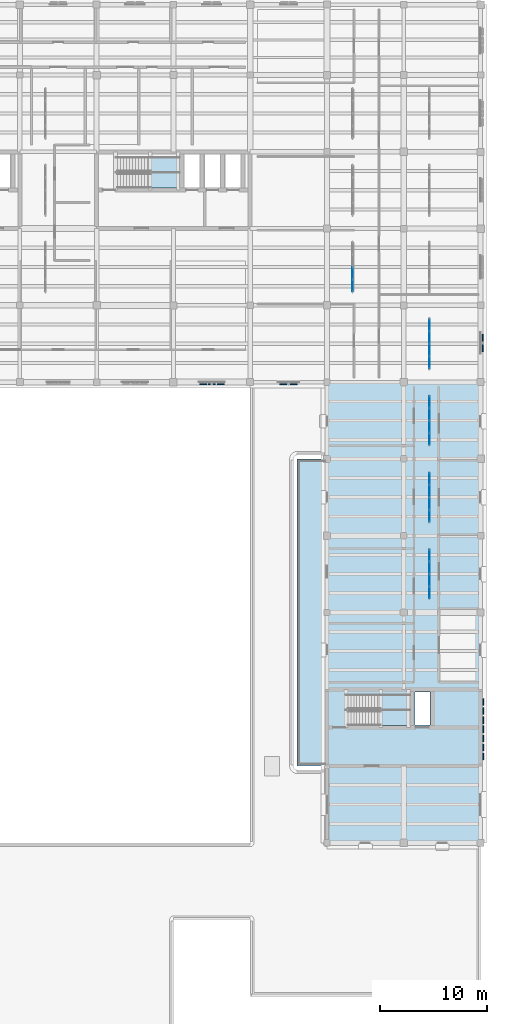
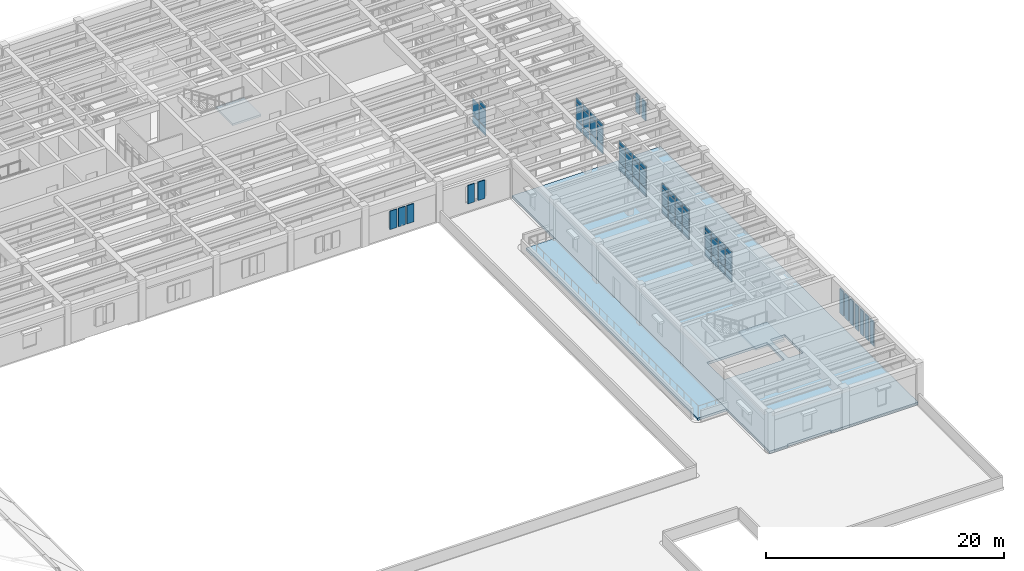
# One storey, part 16 of 40: 67 plates, 4 slabs, 7 elements without a shape of their own.
"""IFC4 building model written with IfcOpenShell, lengths in metres."""

import ifcopenshell
import ifcopenshell.guid

model = None  # the IFC model being written
_history = None  # IfcOwnerHistory: only IFC2X3 demands one
_inside = {}  # id of a spatial element -> (the spatial element, [elements in it])
_under = {}  # id of a project, library or spatial element -> (it, [spatial elements below it])
_declared = {}  # id of a project -> (the project, [libraries it declares])
_typed = {}  # id of a type object -> (the type object, [elements of that type])
_made_of = {}  # id of a material, layer set ... -> (it, [elements and type objects made of it])


def new_model(schema):
    """Start an empty IFC model of exactly this schema.

    Asked for "IFC4X3", IfcOpenShell would pick the latest addendum, in which some entities
    have other attributes; the version numbers below select the first issue.
    IFC2X3 requires an IfcOwnerHistory on every rooted entity: one is made here for all.
    """
    global model, _history
    if schema == "IFC4X3":
        model = ifcopenshell.file(schema_version=(4, 3, 0, 0))
    else:
        model = ifcopenshell.file(schema=schema)
    _inside.clear()
    _under.clear()
    _declared.clear()
    _typed.clear()
    _made_of.clear()
    _history = None
    if model.schema == "IFC2X3":
        org = make("IfcOrganization", Name="unknown")
        user = make(
            "IfcPersonAndOrganization",
            ThePerson=make("IfcPerson", FamilyName="unknown"),
            TheOrganization=org,
        )
        app = make(
            "IfcApplication",
            ApplicationDeveloper=org,
            Version="unknown",
            ApplicationFullName="unknown",
            ApplicationIdentifier="unknown",
        )
        _history = make(
            "IfcOwnerHistory",
            OwningUser=user,
            OwningApplication=app,
            ChangeAction="ADDED",
            CreationDate=0,
        )
    return model


def make(cls, **values):
    """One entity of the class cls with the attributes given. An attribute that is None is left unset."""
    return model.create_entity(
        cls, **{name: value for name, value in values.items() if value is not None}
    )


def rooted(cls, **values):
    """An entity with a GlobalId (a new one), such as an element, a storey or a relation."""
    return make(cls, GlobalId=ifcopenshell.guid.new(), OwnerHistory=_history, **values)


def si_unit(unit_type, name, prefix=None):
    """IfcSIUnit, for example si_unit("LENGTHUNIT", "METRE", prefix="MILLI")."""
    return make("IfcSIUnit", UnitType=unit_type, Prefix=prefix, Name=name)


def assignment(units):
    """IfcUnitAssignment: the units of a project."""
    return None if units is None else make("IfcUnitAssignment", Units=units)


def point(xyz):
    """IfcCartesianPoint."""
    return None if xyz is None else make("IfcCartesianPoint", Coordinates=xyz)


def direction(xyz):
    """IfcDirection."""
    return None if xyz is None else make("IfcDirection", DirectionRatios=xyz)


def frame(location, z_axis=None, x_axis=None):
    """IfcAxis2Placement3D, a coordinate frame: its origin and axes. An axis left out is left unset."""
    return make(
        "IfcAxis2Placement3D",
        Location=point(location),
        Axis=direction(z_axis),
        RefDirection=direction(x_axis),
    )


def frame_2d(location, x_axis=None):
    """IfcAxis2Placement2D, a coordinate frame in the plane: its origin and x axis."""
    return make(
        "IfcAxis2Placement2D", Location=point(location), RefDirection=direction(x_axis)
    )


def origin():
    """The frame at (0, 0, 0) with its axes left unset."""
    return frame((0.0, 0.0, 0.0))


def origin_2d():
    """The frame at (0, 0) in the plane with its x axis left unset."""
    return frame_2d((0.0, 0.0))


def place(relative_to, where):
    """IfcLocalPlacement: puts the frame where relative to a parent placement (None: the world)."""
    return make(
        "IfcLocalPlacement", PlacementRelTo=relative_to, RelativePlacement=where
    )


def context(
    kind, dimensions, precision=None, world=None, true_north=None, identifier=None
):
    """IfcGeometricRepresentationContext, for example the 3D "Model" context."""
    return make(
        "IfcGeometricRepresentationContext",
        ContextIdentifier=identifier,
        ContextType=kind,
        CoordinateSpaceDimension=dimensions,
        Precision=precision,
        WorldCoordinateSystem=world,
        TrueNorth=true_north,
    )


def subcontext(parent, identifier, kind, view, scale=None):
    """IfcGeometricRepresentationSubContext, for example "Body" below "Model"."""
    return make(
        "IfcGeometricRepresentationSubContext",
        ContextIdentifier=identifier,
        ContextType=kind,
        ParentContext=parent,
        TargetScale=scale,
        TargetView=view,
    )


def project(units=None, contexts=None):
    """IfcProject with its units and contexts."""
    return rooted(
        "IfcProject",
        Name="project",
        RepresentationContexts=contexts,
        UnitsInContext=assignment(units),
    )


def spatial(cls, under=None, at=None, **own):
    """A site, building, storey or space (cls), placed at a placement, below another one or the project."""
    s = rooted(cls, ObjectPlacement=at, **own)
    if under is not None:
        _under.setdefault(under.id(), (under, []))[1].append(s)
    return s


def polyline(points):
    """IfcPolyline through the points."""
    return make("IfcPolyline", Points=[point(p) for p in points])


def profile(cls, at=None, kind="AREA", **sizes):
    """A parametric profile (cls). Its sizes go by their IFC names, for example OverallWidth=200.0."""
    return make(cls, ProfileType=kind, Position=at, **sizes)


def rectangle(**sizes):
    """IfcRectangleProfileDef."""
    return profile("IfcRectangleProfileDef", **sizes)


def outline(outer, holes=None, kind="AREA"):
    """IfcArbitraryClosedProfileDef: a profile drawn as a closed curve; with holes, ...WithVoids."""
    if holes is None:
        return make("IfcArbitraryClosedProfileDef", ProfileType=kind, OuterCurve=outer)
    return make(
        "IfcArbitraryProfileDefWithVoids",
        ProfileType=kind,
        OuterCurve=outer,
        InnerCurves=holes,
    )


def extrude(swept, where, along, depth):
    """IfcExtrudedAreaSolid: the profile swept, set in the frame where, extruded along a direction by depth."""
    return make(
        "IfcExtrudedAreaSolid",
        SweptArea=swept,
        Position=where,
        ExtrudedDirection=direction(along),
        Depth=depth,
    )


def shape(context_of_items, identifier, shape_type, items):
    """IfcShapeRepresentation: the items that make up one representation, for example the "Body"."""
    return make(
        "IfcShapeRepresentation",
        ContextOfItems=context_of_items,
        RepresentationIdentifier=identifier,
        RepresentationType=shape_type,
        Items=items,
    )


def material(Name=None, Category=None):
    """IfcMaterial."""
    return make("IfcMaterial", Name=Name, Category=Category)


def layer(
    of_material, thickness, ventilated=None, Name=None, Category=None, Priority=None
):
    """IfcMaterialLayer: one layer of a wall or slab, of a material (None: an air gap)."""
    return make(
        "IfcMaterialLayer",
        Material=of_material,
        LayerThickness=thickness,
        IsVentilated=ventilated,
        Name=Name,
        Category=Category,
        Priority=Priority,
    )


def layer_set(layers, Name=None):
    """IfcMaterialLayerSet."""
    return make("IfcMaterialLayerSet", MaterialLayers=layers, LayerSetName=Name)


def made_of(thing, what):
    """Note that an element or type object is made of a material, layer set ...; save() writes the relation."""
    if what is not None:
        _made_of.setdefault(what.id(), (what, []))[1].append(thing)
    return thing


def type_object(cls, material=None, **own):
    """A type object (cls), such as IfcWallType, which elements share."""
    return made_of(rooted(cls, **own), material)


def element(
    cls,
    number,
    at=None,
    inside=None,
    cuts=None,
    type_object=None,
    material=None,
    context=None,
    identifier="Body",
    shape_type=None,
    held_by="IfcProductDefinitionShape",
    body=None,
    shapes=None,
    **own,
):
    """One element of the class cls, such as IfcWall. Its Tag is "e" and its number.

    at: its placement. inside: the storey or other place that contains it. cuts: it is an
    opening in that element (IfcRelVoidsElement). A single representation is given by context,
    identifier, shape_type and body (its items); several are given by shapes. held_by: the class
    of the entity that holds the representations. save() writes the other relations.
    """
    e = rooted(cls, Tag="e%d" % number, ObjectPlacement=at, **own)
    if body is not None:
        shapes = [shape(context, identifier, shape_type, body)]
    if shapes is not None:
        e.Representation = make(held_by, Representations=shapes)
    if inside is not None:
        _inside.setdefault(inside.id(), (inside, []))[1].append(e)
    if cuts is not None:
        rooted(
            "IfcRelVoidsElement", RelatingBuildingElement=cuts, RelatedOpeningElement=e
        )
    if type_object is not None:
        _typed.setdefault(type_object.id(), (type_object, []))[1].append(e)
    return made_of(e, material)


def aggregate(whole, parts):
    """IfcRelAggregates: a whole, such as a stair, and the parts it consists of."""
    return rooted("IfcRelAggregates", RelatingObject=whole, RelatedObjects=parts)


def save(model, path):
    """Write the relations noted so far, then the file.

    IfcRelAggregates (storeys below a building ...), IfcRelContainedInSpatialStructure (elements
    in a storey), IfcRelDefinesByType, IfcRelAssociatesMaterial and IfcRelDeclares: one each for
    every whole, place, type object, material and project.
    """
    for whole, parts in _under.values():
        aggregate(whole, parts)
    for where, things in _inside.values():
        rooted(
            "IfcRelContainedInSpatialStructure",
            RelatedElements=things,
            RelatingStructure=where,
        )
    for kind, things in _typed.values():
        rooted("IfcRelDefinesByType", RelatedObjects=things, RelatingType=kind)
    for what, things in _made_of.values():
        rooted("IfcRelAssociatesMaterial", RelatedObjects=things, RelatingMaterial=what)
    for by, libraries in _declared.values():
        rooted("IfcRelDeclares", RelatingContext=by, RelatedDefinitions=libraries)
    model.write(path)


model = new_model("IFC4")

# Units and contexts
model_context = context("Model", 3, precision=1e-05, world=origin(), true_north=direction((0.0, 1.0)))
body_context = subcontext(model_context, "Body", "Model", "MODEL_VIEW")
ifc_project = project(units=[si_unit("LENGTHUNIT", "METRE"), si_unit("AREAUNIT", "SQUARE_METRE"), si_unit("VOLUMEUNIT", "CUBIC_METRE"), si_unit("PLANEANGLEUNIT", "RADIAN"), si_unit("MASSUNIT", "GRAM", prefix="KILO")], contexts=[model_context])

# Site, building, storey
site_placement = place(None, origin())
site = spatial("IfcSite", under=ifc_project, at=site_placement, CompositionType="ELEMENT")
building_placement = place(site_placement, origin())
building = spatial("IfcBuilding", under=site, at=building_placement, Name="Mithqara Police Headquarters", CompositionType="ELEMENT")
storey_placement = place(building_placement, frame((0.0, 0.0, 13.800048828125)))
storey = spatial("IfcBuildingStorey", under=building, at=storey_placement, Name="L03", CompositionType="ELEMENT", Elevation=13.800048828125)

# Curtain wall, plates
ifc_material_1 = material(Name="Bronze anodised aluminium 6063-T6", Category="aluminium")
curtain_wall_type = type_object("IfcCurtainWallType", Name="CURTAIN WALL 4700X3220", PredefinedType="USERDEFINED", material=ifc_material_1)
curtain_wall_1_placement = place(storey_placement, origin())
curtain_wall_1 = element("IfcCurtainWall", 1, at=curtain_wall_1_placement, inside=storey, type_object=curtain_wall_type, Name="L03 Unitised Glazing CW-16 (CW-INT-L03-X21-Y12-0)", ObjectType="UNITISED GLAZING", PredefinedType="USERDEFINED")
ifc_material_2 = material(Name="Spectrally selective double low-e glass", Category="glass")
ifc_layer_1 = layer(ifc_material_2, 0.028076171875, Name="Spectrally selective double low-e glass")
ifc_layer_set_1 = layer_set([ifc_layer_1], Name="Spectrally selective double low-e glass")
plate_type_1 = type_object("IfcPlateType", Name="CWPANEL GLASS28", PredefinedType="CURTAIN_PANEL", material=ifc_layer_set_1)
plate_1_placement = place(storey_placement, frame((154.199951171875, 87.65625, 0.074951171875), z_axis=(0.0, 0.0, 1.0), x_axis=(0.0, 1.0, 0.0)))
plate_1 = element("IfcPlate", 2, at=plate_1_placement, type_object=plate_type_1, Name="CW-16 panel 1.1", PredefinedType="CURTAIN_PANEL", context=body_context, shape_type="SweptSolid", body=[
    extrude(rectangle(XDim=1.0625, YDim=0.028076171875, at=origin_2d()), origin(), (0.0, 0.0, 1.0), 0.78759765625),
])
plate_2_placement = place(storey_placement, frame((154.199951171875, 87.65625, 0.9375), z_axis=(0.0, 0.0, 1.0), x_axis=(0.0, 1.0, 0.0)))
plate_2 = element("IfcPlate", 3, at=plate_2_placement, type_object=plate_type_1, Name="CW-16 panel 1.2", PredefinedType="CURTAIN_PANEL", context=body_context, shape_type="SweptSolid", body=[
    extrude(rectangle(XDim=1.0625, YDim=0.028076171875, at=origin_2d()), origin(), (0.0, 0.0, 1.0), 1.695068359375),
])
plate_3_placement = place(storey_placement, frame((154.199951171875, 87.65625, 2.70751953125), z_axis=(0.0, 0.0, 1.0), x_axis=(0.0, 1.0, 0.0)))
plate_3 = element("IfcPlate", 4, at=plate_3_placement, type_object=plate_type_1, Name="CW-16 panel 1.3", PredefinedType="CURTAIN_PANEL", context=body_context, shape_type="SweptSolid", body=[
    extrude(rectangle(XDim=1.0625, YDim=0.028076171875, at=origin_2d()), origin(), (0.0, 0.0, 1.0), 0.4375),
])
plate_4_placement = place(storey_placement, frame((154.199951171875, 88.8125, 0.074951171875), z_axis=(0.0, 0.0, 1.0), x_axis=(0.0, 1.0, 0.0)))
plate_4 = element("IfcPlate", 5, at=plate_4_placement, type_object=plate_type_1, Name="CW-16 panel 2.1", PredefinedType="CURTAIN_PANEL", context=body_context, shape_type="SweptSolid", body=[
    extrude(rectangle(XDim=1.10009765625, YDim=0.028076171875, at=origin_2d()), origin(), (0.0, 0.0, 1.0), 0.78759765625),
])
plate_5_placement = place(storey_placement, frame((154.199951171875, 88.8125, 0.9375), z_axis=(0.0, 0.0, 1.0), x_axis=(0.0, 1.0, 0.0)))
plate_5 = element("IfcPlate", 6, at=plate_5_placement, type_object=plate_type_1, Name="CW-16 panel 2.2", PredefinedType="CURTAIN_PANEL", context=body_context, shape_type="SweptSolid", body=[
    extrude(rectangle(XDim=1.10009765625, YDim=0.028076171875, at=origin_2d()), origin(), (0.0, 0.0, 1.0), 1.695068359375),
])
aggregate(curtain_wall_1, [plate_1, plate_2, plate_3, plate_4, plate_5])

curtain_wall_2_placement = place(storey_placement, origin())
curtain_wall_2 = element("IfcCurtainWall", 7, at=curtain_wall_2_placement, inside=storey, type_object=curtain_wall_type, Name="L03 Unitised Glazing CW-16 (CW-INT-L03-X22-Y08-0)", ObjectType="UNITISED GLAZING", PredefinedType="USERDEFINED")
plate_6_placement = place(storey_placement, frame((161.39990234375, 58.856201171875, 0.074951171875), z_axis=(0.0, 0.0, 1.0), x_axis=(0.0, 1.0, 0.0)))
plate_6 = element("IfcPlate", 8, at=plate_6_placement, type_object=plate_type_1, Name="CW-16 panel 1.1", PredefinedType="CURTAIN_PANEL", context=body_context, shape_type="SweptSolid", body=[
    extrude(rectangle(XDim=1.0625, YDim=0.028076171875, at=origin_2d()), origin(), (0.0, 0.0, 1.0), 0.78759765625),
])
plate_7_placement = place(storey_placement, frame((161.39990234375, 58.856201171875, 0.9375), z_axis=(0.0, 0.0, 1.0), x_axis=(0.0, 1.0, 0.0)))
plate_7 = element("IfcPlate", 9, at=plate_7_placement, type_object=plate_type_1, Name="CW-16 panel 1.2", PredefinedType="CURTAIN_PANEL", context=body_context, shape_type="SweptSolid", body=[
    extrude(rectangle(XDim=1.0625, YDim=0.028076171875, at=origin_2d()), origin(), (0.0, 0.0, 1.0), 1.695068359375),
])
plate_8_placement = place(storey_placement, frame((161.39990234375, 58.856201171875, 2.70751953125), z_axis=(0.0, 0.0, 1.0), x_axis=(0.0, 1.0, 0.0)))
plate_8 = element("IfcPlate", 10, at=plate_8_placement, type_object=plate_type_1, Name="CW-16 panel 1.3", PredefinedType="CURTAIN_PANEL", context=body_context, shape_type="SweptSolid", body=[
    extrude(rectangle(XDim=1.0625, YDim=0.028076171875, at=origin_2d()), origin(), (0.0, 0.0, 1.0), 0.4375),
])
plate_9_placement = place(storey_placement, frame((161.39990234375, 60.012451171875, 0.074951171875), z_axis=(0.0, 0.0, 1.0), x_axis=(0.0, 1.0, 0.0)))
plate_9 = element("IfcPlate", 11, at=plate_9_placement, type_object=plate_type_1, Name="CW-16 panel 2.1", PredefinedType="CURTAIN_PANEL", context=body_context, shape_type="SweptSolid", body=[
    extrude(rectangle(XDim=1.10009765625, YDim=0.028076171875, at=origin_2d()), origin(), (0.0, 0.0, 1.0), 0.78759765625),
])
plate_10_placement = place(storey_placement, frame((161.39990234375, 60.012451171875, 0.9375), z_axis=(0.0, 0.0, 1.0), x_axis=(0.0, 1.0, 0.0)))
plate_10 = element("IfcPlate", 12, at=plate_10_placement, type_object=plate_type_1, Name="CW-16 panel 2.2", PredefinedType="CURTAIN_PANEL", context=body_context, shape_type="SweptSolid", body=[
    extrude(rectangle(XDim=1.10009765625, YDim=0.028076171875, at=origin_2d()), origin(), (0.0, 0.0, 1.0), 1.695068359375),
])
plate_11_placement = place(storey_placement, frame((161.39990234375, 60.012451171875, 2.70751953125), z_axis=(0.0, 0.0, 1.0), x_axis=(0.0, 1.0, 0.0)))
plate_11 = element("IfcPlate", 13, at=plate_11_placement, type_object=plate_type_1, Name="CW-16 panel 2.3", PredefinedType="CURTAIN_PANEL", context=body_context, shape_type="SweptSolid", body=[
    extrude(rectangle(XDim=1.10009765625, YDim=0.028076171875, at=origin_2d()), origin(), (0.0, 0.0, 1.0), 0.4375),
])
plate_12_placement = place(storey_placement, frame((161.39990234375, 61.1875, 0.074951171875), z_axis=(0.0, 0.0, 1.0), x_axis=(0.0, 1.0, 0.0)))
plate_12 = element("IfcPlate", 14, at=plate_12_placement, type_object=plate_type_1, Name="CW-16 panel 3.1", PredefinedType="CURTAIN_PANEL", context=body_context, shape_type="SweptSolid", body=[
    extrude(rectangle(XDim=1.10009765625, YDim=0.028076171875, at=origin_2d()), origin(), (0.0, 0.0, 1.0), 0.78759765625),
])
plate_13_placement = place(storey_placement, frame((161.39990234375, 61.1875, 0.9375), z_axis=(0.0, 0.0, 1.0), x_axis=(0.0, 1.0, 0.0)))
plate_13 = element("IfcPlate", 15, at=plate_13_placement, type_object=plate_type_1, Name="CW-16 panel 3.2", PredefinedType="CURTAIN_PANEL", context=body_context, shape_type="SweptSolid", body=[
    extrude(rectangle(XDim=1.10009765625, YDim=0.028076171875, at=origin_2d()), origin(), (0.0, 0.0, 1.0), 1.695068359375),
])
plate_14_placement = place(storey_placement, frame((161.39990234375, 61.1875, 2.70751953125), z_axis=(0.0, 0.0, 1.0), x_axis=(0.0, 1.0, 0.0)))
plate_14 = element("IfcPlate", 16, at=plate_14_placement, type_object=plate_type_1, Name="CW-16 panel 3.3", PredefinedType="CURTAIN_PANEL", context=body_context, shape_type="SweptSolid", body=[
    extrude(rectangle(XDim=1.10009765625, YDim=0.028076171875, at=origin_2d()), origin(), (0.0, 0.0, 1.0), 0.4375),
])
plate_15_placement = place(storey_placement, frame((161.39990234375, 62.34375, 0.074951171875), z_axis=(0.0, 0.0, 1.0), x_axis=(0.0, 1.0, 0.0)))
plate_15 = element("IfcPlate", 17, at=plate_15_placement, type_object=plate_type_1, Name="CW-16 panel 4.1", PredefinedType="CURTAIN_PANEL", context=body_context, shape_type="SweptSolid", body=[
    extrude(rectangle(XDim=1.0625, YDim=0.028076171875, at=origin_2d()), origin(), (0.0, 0.0, 1.0), 0.78759765625),
])
plate_16_placement = place(storey_placement, frame((161.39990234375, 62.34375, 0.9375), z_axis=(0.0, 0.0, 1.0), x_axis=(0.0, 1.0, 0.0)))
plate_16 = element("IfcPlate", 18, at=plate_16_placement, type_object=plate_type_1, Name="CW-16 panel 4.2", PredefinedType="CURTAIN_PANEL", context=body_context, shape_type="SweptSolid", body=[
    extrude(rectangle(XDim=1.0625, YDim=0.028076171875, at=origin_2d()), origin(), (0.0, 0.0, 1.0), 1.695068359375),
])
plate_17_placement = place(storey_placement, frame((161.39990234375, 62.34375, 2.70751953125), z_axis=(0.0, 0.0, 1.0), x_axis=(0.0, 1.0, 0.0)))
plate_17 = element("IfcPlate", 19, at=plate_17_placement, type_object=plate_type_1, Name="CW-16 panel 4.3", PredefinedType="CURTAIN_PANEL", context=body_context, shape_type="SweptSolid", body=[
    extrude(rectangle(XDim=1.0625, YDim=0.028076171875, at=origin_2d()), origin(), (0.0, 0.0, 1.0), 0.4375),
])
aggregate(curtain_wall_2, [plate_6, plate_7, plate_8, plate_9, plate_10, plate_11, plate_12, plate_13, plate_14, plate_15, plate_16, plate_17])

curtain_wall_3_placement = place(storey_placement, origin())
curtain_wall_3 = element("IfcCurtainWall", 20, at=curtain_wall_3_placement, inside=storey, type_object=curtain_wall_type, Name="L03 Unitised Glazing CW-16 (CW-INT-L03-X22-Y09-0)", ObjectType="UNITISED GLAZING", PredefinedType="USERDEFINED")
plate_18_placement = place(storey_placement, frame((161.39990234375, 66.05615234375, 0.074951171875), z_axis=(0.0, 0.0, 1.0), x_axis=(0.0, 1.0, 0.0)))
plate_18 = element("IfcPlate", 21, at=plate_18_placement, type_object=plate_type_1, Name="CW-16 panel 1.1", PredefinedType="CURTAIN_PANEL", context=body_context, shape_type="SweptSolid", body=[
    extrude(rectangle(XDim=1.0625, YDim=0.028076171875, at=origin_2d()), origin(), (0.0, 0.0, 1.0), 0.78759765625),
])
plate_19_placement = place(storey_placement, frame((161.39990234375, 66.05615234375, 0.9375), z_axis=(0.0, 0.0, 1.0), x_axis=(0.0, 1.0, 0.0)))
plate_19 = element("IfcPlate", 22, at=plate_19_placement, type_object=plate_type_1, Name="CW-16 panel 1.2", PredefinedType="CURTAIN_PANEL", context=body_context, shape_type="SweptSolid", body=[
    extrude(rectangle(XDim=1.0625, YDim=0.028076171875, at=origin_2d()), origin(), (0.0, 0.0, 1.0), 1.695068359375),
])
plate_20_placement = place(storey_placement, frame((161.39990234375, 66.05615234375, 2.70751953125), z_axis=(0.0, 0.0, 1.0), x_axis=(0.0, 1.0, 0.0)))
plate_20 = element("IfcPlate", 23, at=plate_20_placement, type_object=plate_type_1, Name="CW-16 panel 1.3", PredefinedType="CURTAIN_PANEL", context=body_context, shape_type="SweptSolid", body=[
    extrude(rectangle(XDim=1.0625, YDim=0.028076171875, at=origin_2d()), origin(), (0.0, 0.0, 1.0), 0.4375),
])
plate_21_placement = place(storey_placement, frame((161.39990234375, 67.21240234375, 0.074951171875), z_axis=(0.0, 0.0, 1.0), x_axis=(0.0, 1.0, 0.0)))
plate_21 = element("IfcPlate", 24, at=plate_21_placement, type_object=plate_type_1, Name="CW-16 panel 2.1", PredefinedType="CURTAIN_PANEL", context=body_context, shape_type="SweptSolid", body=[
    extrude(rectangle(XDim=1.10009765625, YDim=0.028076171875, at=origin_2d()), origin(), (0.0, 0.0, 1.0), 0.78759765625),
])
plate_22_placement = place(storey_placement, frame((161.39990234375, 67.21240234375, 0.9375), z_axis=(0.0, 0.0, 1.0), x_axis=(0.0, 1.0, 0.0)))
plate_22 = element("IfcPlate", 25, at=plate_22_placement, type_object=plate_type_1, Name="CW-16 panel 2.2", PredefinedType="CURTAIN_PANEL", context=body_context, shape_type="SweptSolid", body=[
    extrude(rectangle(XDim=1.10009765625, YDim=0.028076171875, at=origin_2d()), origin(), (0.0, 0.0, 1.0), 1.695068359375),
])
plate_23_placement = place(storey_placement, frame((161.39990234375, 67.21240234375, 2.70751953125), z_axis=(0.0, 0.0, 1.0), x_axis=(0.0, 1.0, 0.0)))
plate_23 = element("IfcPlate", 26, at=plate_23_placement, type_object=plate_type_1, Name="CW-16 panel 2.3", PredefinedType="CURTAIN_PANEL", context=body_context, shape_type="SweptSolid", body=[
    extrude(rectangle(XDim=1.10009765625, YDim=0.028076171875, at=origin_2d()), origin(), (0.0, 0.0, 1.0), 0.4375),
])
plate_24_placement = place(storey_placement, frame((161.39990234375, 68.387451171875, 0.074951171875), z_axis=(0.0, 0.0, 1.0), x_axis=(0.0, 1.0, 0.0)))
plate_24 = element("IfcPlate", 27, at=plate_24_placement, type_object=plate_type_1, Name="CW-16 panel 3.1", PredefinedType="CURTAIN_PANEL", context=body_context, shape_type="SweptSolid", body=[
    extrude(rectangle(XDim=1.10009765625, YDim=0.028076171875, at=origin_2d()), origin(), (0.0, 0.0, 1.0), 0.78759765625),
])
plate_25_placement = place(storey_placement, frame((161.39990234375, 68.387451171875, 0.9375), z_axis=(0.0, 0.0, 1.0), x_axis=(0.0, 1.0, 0.0)))
plate_25 = element("IfcPlate", 28, at=plate_25_placement, type_object=plate_type_1, Name="CW-16 panel 3.2", PredefinedType="CURTAIN_PANEL", context=body_context, shape_type="SweptSolid", body=[
    extrude(rectangle(XDim=1.10009765625, YDim=0.028076171875, at=origin_2d()), origin(), (0.0, 0.0, 1.0), 1.695068359375),
])
plate_26_placement = place(storey_placement, frame((161.39990234375, 68.387451171875, 2.70751953125), z_axis=(0.0, 0.0, 1.0), x_axis=(0.0, 1.0, 0.0)))
plate_26 = element("IfcPlate", 29, at=plate_26_placement, type_object=plate_type_1, Name="CW-16 panel 3.3", PredefinedType="CURTAIN_PANEL", context=body_context, shape_type="SweptSolid", body=[
    extrude(rectangle(XDim=1.10009765625, YDim=0.028076171875, at=origin_2d()), origin(), (0.0, 0.0, 1.0), 0.4375),
])
plate_27_placement = place(storey_placement, frame((161.39990234375, 69.543701171875, 0.074951171875), z_axis=(0.0, 0.0, 1.0), x_axis=(0.0, 1.0, 0.0)))
plate_27 = element("IfcPlate", 30, at=plate_27_placement, type_object=plate_type_1, Name="CW-16 panel 4.1", PredefinedType="CURTAIN_PANEL", context=body_context, shape_type="SweptSolid", body=[
    extrude(rectangle(XDim=1.0625, YDim=0.028076171875, at=origin_2d()), origin(), (0.0, 0.0, 1.0), 0.78759765625),
])
plate_28_placement = place(storey_placement, frame((161.39990234375, 69.543701171875, 0.9375), z_axis=(0.0, 0.0, 1.0), x_axis=(0.0, 1.0, 0.0)))
plate_28 = element("IfcPlate", 31, at=plate_28_placement, type_object=plate_type_1, Name="CW-16 panel 4.2", PredefinedType="CURTAIN_PANEL", context=body_context, shape_type="SweptSolid", body=[
    extrude(rectangle(XDim=1.0625, YDim=0.028076171875, at=origin_2d()), origin(), (0.0, 0.0, 1.0), 1.695068359375),
])
plate_29_placement = place(storey_placement, frame((161.39990234375, 69.543701171875, 2.70751953125), z_axis=(0.0, 0.0, 1.0), x_axis=(0.0, 1.0, 0.0)))
plate_29 = element("IfcPlate", 32, at=plate_29_placement, type_object=plate_type_1, Name="CW-16 panel 4.3", PredefinedType="CURTAIN_PANEL", context=body_context, shape_type="SweptSolid", body=[
    extrude(rectangle(XDim=1.0625, YDim=0.028076171875, at=origin_2d()), origin(), (0.0, 0.0, 1.0), 0.4375),
])
aggregate(curtain_wall_3, [plate_18, plate_19, plate_20, plate_21, plate_22, plate_23, plate_24, plate_25, plate_26, plate_27, plate_28, plate_29])

curtain_wall_4_placement = place(storey_placement, origin())
curtain_wall_4 = element("IfcCurtainWall", 33, at=curtain_wall_4_placement, inside=storey, type_object=curtain_wall_type, Name="L03 Unitised Glazing CW-16 (CW-INT-L03-X22-Y10-0)", ObjectType="UNITISED GLAZING", PredefinedType="USERDEFINED")
plate_30_placement = place(storey_placement, frame((161.39990234375, 73.25634765625, 0.074951171875), z_axis=(0.0, 0.0, 1.0), x_axis=(0.0, 1.0, 0.0)))
plate_30 = element("IfcPlate", 34, at=plate_30_placement, type_object=plate_type_1, Name="CW-16 panel 1.1", PredefinedType="CURTAIN_PANEL", context=body_context, shape_type="SweptSolid", body=[
    extrude(rectangle(XDim=1.0625, YDim=0.028076171875, at=origin_2d()), origin(), (0.0, 0.0, 1.0), 0.78759765625),
])
plate_31_placement = place(storey_placement, frame((161.39990234375, 73.25634765625, 0.9375), z_axis=(0.0, 0.0, 1.0), x_axis=(0.0, 1.0, 0.0)))
plate_31 = element("IfcPlate", 35, at=plate_31_placement, type_object=plate_type_1, Name="CW-16 panel 1.2", PredefinedType="CURTAIN_PANEL", context=body_context, shape_type="SweptSolid", body=[
    extrude(rectangle(XDim=1.0625, YDim=0.028076171875, at=origin_2d()), origin(), (0.0, 0.0, 1.0), 1.695068359375),
])
plate_32_placement = place(storey_placement, frame((161.39990234375, 73.25634765625, 2.70751953125), z_axis=(0.0, 0.0, 1.0), x_axis=(0.0, 1.0, 0.0)))
plate_32 = element("IfcPlate", 36, at=plate_32_placement, type_object=plate_type_1, Name="CW-16 panel 1.3", PredefinedType="CURTAIN_PANEL", context=body_context, shape_type="SweptSolid", body=[
    extrude(rectangle(XDim=1.0625, YDim=0.028076171875, at=origin_2d()), origin(), (0.0, 0.0, 1.0), 0.4375),
])
plate_33_placement = place(storey_placement, frame((161.39990234375, 74.41259765625, 0.074951171875), z_axis=(0.0, 0.0, 1.0), x_axis=(0.0, 1.0, 0.0)))
plate_33 = element("IfcPlate", 37, at=plate_33_placement, type_object=plate_type_1, Name="CW-16 panel 2.1", PredefinedType="CURTAIN_PANEL", context=body_context, shape_type="SweptSolid", body=[
    extrude(rectangle(XDim=1.10009765625, YDim=0.028076171875, at=origin_2d()), origin(), (0.0, 0.0, 1.0), 0.78759765625),
])
plate_34_placement = place(storey_placement, frame((161.39990234375, 74.41259765625, 0.9375), z_axis=(0.0, 0.0, 1.0), x_axis=(0.0, 1.0, 0.0)))
plate_34 = element("IfcPlate", 38, at=plate_34_placement, type_object=plate_type_1, Name="CW-16 panel 2.2", PredefinedType="CURTAIN_PANEL", context=body_context, shape_type="SweptSolid", body=[
    extrude(rectangle(XDim=1.10009765625, YDim=0.028076171875, at=origin_2d()), origin(), (0.0, 0.0, 1.0), 1.695068359375),
])
plate_35_placement = place(storey_placement, frame((161.39990234375, 74.41259765625, 2.70751953125), z_axis=(0.0, 0.0, 1.0), x_axis=(0.0, 1.0, 0.0)))
plate_35 = element("IfcPlate", 39, at=plate_35_placement, type_object=plate_type_1, Name="CW-16 panel 2.3", PredefinedType="CURTAIN_PANEL", context=body_context, shape_type="SweptSolid", body=[
    extrude(rectangle(XDim=1.10009765625, YDim=0.028076171875, at=origin_2d()), origin(), (0.0, 0.0, 1.0), 0.4375),
])
plate_36_placement = place(storey_placement, frame((161.39990234375, 75.58740234375, 0.074951171875), z_axis=(0.0, 0.0, 1.0), x_axis=(0.0, 1.0, 0.0)))
plate_36 = element("IfcPlate", 40, at=plate_36_placement, type_object=plate_type_1, Name="CW-16 panel 3.1", PredefinedType="CURTAIN_PANEL", context=body_context, shape_type="SweptSolid", body=[
    extrude(rectangle(XDim=1.10009765625, YDim=0.028076171875, at=origin_2d()), origin(), (0.0, 0.0, 1.0), 0.78759765625),
])
plate_37_placement = place(storey_placement, frame((161.39990234375, 75.58740234375, 0.9375), z_axis=(0.0, 0.0, 1.0), x_axis=(0.0, 1.0, 0.0)))
plate_37 = element("IfcPlate", 41, at=plate_37_placement, type_object=plate_type_1, Name="CW-16 panel 3.2", PredefinedType="CURTAIN_PANEL", context=body_context, shape_type="SweptSolid", body=[
    extrude(rectangle(XDim=1.10009765625, YDim=0.028076171875, at=origin_2d()), origin(), (0.0, 0.0, 1.0), 1.695068359375),
])
plate_38_placement = place(storey_placement, frame((161.39990234375, 75.58740234375, 2.70751953125), z_axis=(0.0, 0.0, 1.0), x_axis=(0.0, 1.0, 0.0)))
plate_38 = element("IfcPlate", 42, at=plate_38_placement, type_object=plate_type_1, Name="CW-16 panel 3.3", PredefinedType="CURTAIN_PANEL", context=body_context, shape_type="SweptSolid", body=[
    extrude(rectangle(XDim=1.10009765625, YDim=0.028076171875, at=origin_2d()), origin(), (0.0, 0.0, 1.0), 0.4375),
])
plate_39_placement = place(storey_placement, frame((161.39990234375, 76.74365234375, 0.074951171875), z_axis=(0.0, 0.0, 1.0), x_axis=(0.0, 1.0, 0.0)))
plate_39 = element("IfcPlate", 43, at=plate_39_placement, type_object=plate_type_1, Name="CW-16 panel 4.1", PredefinedType="CURTAIN_PANEL", context=body_context, shape_type="SweptSolid", body=[
    extrude(rectangle(XDim=1.0625, YDim=0.028076171875, at=origin_2d()), origin(), (0.0, 0.0, 1.0), 0.78759765625),
])
plate_40_placement = place(storey_placement, frame((161.39990234375, 76.74365234375, 0.9375), z_axis=(0.0, 0.0, 1.0), x_axis=(0.0, 1.0, 0.0)))
plate_40 = element("IfcPlate", 44, at=plate_40_placement, type_object=plate_type_1, Name="CW-16 panel 4.2", PredefinedType="CURTAIN_PANEL", context=body_context, shape_type="SweptSolid", body=[
    extrude(rectangle(XDim=1.0625, YDim=0.028076171875, at=origin_2d()), origin(), (0.0, 0.0, 1.0), 1.695068359375),
])
plate_41_placement = place(storey_placement, frame((161.39990234375, 76.74365234375, 2.70751953125), z_axis=(0.0, 0.0, 1.0), x_axis=(0.0, 1.0, 0.0)))
plate_41 = element("IfcPlate", 45, at=plate_41_placement, type_object=plate_type_1, Name="CW-16 panel 4.3", PredefinedType="CURTAIN_PANEL", context=body_context, shape_type="SweptSolid", body=[
    extrude(rectangle(XDim=1.0625, YDim=0.028076171875, at=origin_2d()), origin(), (0.0, 0.0, 1.0), 0.4375),
])
aggregate(curtain_wall_4, [plate_30, plate_31, plate_32, plate_33, plate_34, plate_35, plate_36, plate_37, plate_38, plate_39, plate_40, plate_41])

curtain_wall_5_placement = place(storey_placement, origin())
curtain_wall_5 = element("IfcCurtainWall", 46, at=curtain_wall_5_placement, inside=storey, type_object=curtain_wall_type, Name="L03 Unitised Glazing CW-16 (CW-INT-L03-X22-Y11-0)", ObjectType="UNITISED GLAZING", PredefinedType="USERDEFINED")
plate_42_placement = place(storey_placement, frame((161.39990234375, 80.456298828125, 0.074951171875), z_axis=(0.0, 0.0, 1.0), x_axis=(0.0, 1.0, 0.0)))
plate_42 = element("IfcPlate", 47, at=plate_42_placement, type_object=plate_type_1, Name="CW-16 panel 1.1", PredefinedType="CURTAIN_PANEL", context=body_context, shape_type="SweptSolid", body=[
    extrude(rectangle(XDim=1.0625, YDim=0.028076171875, at=origin_2d()), origin(), (0.0, 0.0, 1.0), 0.78759765625),
])
plate_43_placement = place(storey_placement, frame((161.39990234375, 80.456298828125, 0.9375), z_axis=(0.0, 0.0, 1.0), x_axis=(0.0, 1.0, 0.0)))
plate_43 = element("IfcPlate", 48, at=plate_43_placement, type_object=plate_type_1, Name="CW-16 panel 1.2", PredefinedType="CURTAIN_PANEL", context=body_context, shape_type="SweptSolid", body=[
    extrude(rectangle(XDim=1.0625, YDim=0.028076171875, at=origin_2d()), origin(), (0.0, 0.0, 1.0), 1.695068359375),
])
plate_44_placement = place(storey_placement, frame((161.39990234375, 80.456298828125, 2.70751953125), z_axis=(0.0, 0.0, 1.0), x_axis=(0.0, 1.0, 0.0)))
plate_44 = element("IfcPlate", 49, at=plate_44_placement, type_object=plate_type_1, Name="CW-16 panel 1.3", PredefinedType="CURTAIN_PANEL", context=body_context, shape_type="SweptSolid", body=[
    extrude(rectangle(XDim=1.0625, YDim=0.028076171875, at=origin_2d()), origin(), (0.0, 0.0, 1.0), 0.4375),
])
plate_45_placement = place(storey_placement, frame((161.39990234375, 81.612548828125, 0.074951171875), z_axis=(0.0, 0.0, 1.0), x_axis=(0.0, 1.0, 0.0)))
plate_45 = element("IfcPlate", 50, at=plate_45_placement, type_object=plate_type_1, Name="CW-16 panel 2.1", PredefinedType="CURTAIN_PANEL", context=body_context, shape_type="SweptSolid", body=[
    extrude(rectangle(XDim=1.10009765625, YDim=0.028076171875, at=origin_2d()), origin(), (0.0, 0.0, 1.0), 0.78759765625),
])
plate_46_placement = place(storey_placement, frame((161.39990234375, 81.612548828125, 0.9375), z_axis=(0.0, 0.0, 1.0), x_axis=(0.0, 1.0, 0.0)))
plate_46 = element("IfcPlate", 51, at=plate_46_placement, type_object=plate_type_1, Name="CW-16 panel 2.2", PredefinedType="CURTAIN_PANEL", context=body_context, shape_type="SweptSolid", body=[
    extrude(rectangle(XDim=1.10009765625, YDim=0.028076171875, at=origin_2d()), origin(), (0.0, 0.0, 1.0), 1.695068359375),
])
plate_47_placement = place(storey_placement, frame((161.39990234375, 81.612548828125, 2.70751953125), z_axis=(0.0, 0.0, 1.0), x_axis=(0.0, 1.0, 0.0)))
plate_47 = element("IfcPlate", 52, at=plate_47_placement, type_object=plate_type_1, Name="CW-16 panel 2.3", PredefinedType="CURTAIN_PANEL", context=body_context, shape_type="SweptSolid", body=[
    extrude(rectangle(XDim=1.10009765625, YDim=0.028076171875, at=origin_2d()), origin(), (0.0, 0.0, 1.0), 0.4375),
])
plate_48_placement = place(storey_placement, frame((161.39990234375, 82.78759765625, 0.074951171875), z_axis=(0.0, 0.0, 1.0), x_axis=(0.0, 1.0, 0.0)))
plate_48 = element("IfcPlate", 53, at=plate_48_placement, type_object=plate_type_1, Name="CW-16 panel 3.1", PredefinedType="CURTAIN_PANEL", context=body_context, shape_type="SweptSolid", body=[
    extrude(rectangle(XDim=1.10009765625, YDim=0.028076171875, at=origin_2d()), origin(), (0.0, 0.0, 1.0), 0.78759765625),
])
plate_49_placement = place(storey_placement, frame((161.39990234375, 82.78759765625, 0.9375), z_axis=(0.0, 0.0, 1.0), x_axis=(0.0, 1.0, 0.0)))
plate_49 = element("IfcPlate", 54, at=plate_49_placement, type_object=plate_type_1, Name="CW-16 panel 3.2", PredefinedType="CURTAIN_PANEL", context=body_context, shape_type="SweptSolid", body=[
    extrude(rectangle(XDim=1.10009765625, YDim=0.028076171875, at=origin_2d()), origin(), (0.0, 0.0, 1.0), 1.695068359375),
])
plate_50_placement = place(storey_placement, frame((161.39990234375, 82.78759765625, 2.70751953125), z_axis=(0.0, 0.0, 1.0), x_axis=(0.0, 1.0, 0.0)))
plate_50 = element("IfcPlate", 55, at=plate_50_placement, type_object=plate_type_1, Name="CW-16 panel 3.3", PredefinedType="CURTAIN_PANEL", context=body_context, shape_type="SweptSolid", body=[
    extrude(rectangle(XDim=1.10009765625, YDim=0.028076171875, at=origin_2d()), origin(), (0.0, 0.0, 1.0), 0.4375),
])
plate_51_placement = place(storey_placement, frame((161.39990234375, 83.94384765625, 0.074951171875), z_axis=(0.0, 0.0, 1.0), x_axis=(0.0, 1.0, 0.0)))
plate_51 = element("IfcPlate", 56, at=plate_51_placement, type_object=plate_type_1, Name="CW-16 panel 4.1", PredefinedType="CURTAIN_PANEL", context=body_context, shape_type="SweptSolid", body=[
    extrude(rectangle(XDim=1.0625, YDim=0.028076171875, at=origin_2d()), origin(), (0.0, 0.0, 1.0), 0.78759765625),
])
plate_52_placement = place(storey_placement, frame((161.39990234375, 83.94384765625, 0.9375), z_axis=(0.0, 0.0, 1.0), x_axis=(0.0, 1.0, 0.0)))
plate_52 = element("IfcPlate", 57, at=plate_52_placement, type_object=plate_type_1, Name="CW-16 panel 4.2", PredefinedType="CURTAIN_PANEL", context=body_context, shape_type="SweptSolid", body=[
    extrude(rectangle(XDim=1.0625, YDim=0.028076171875, at=origin_2d()), origin(), (0.0, 0.0, 1.0), 1.695068359375),
])
plate_53_placement = place(storey_placement, frame((161.39990234375, 83.94384765625, 2.70751953125), z_axis=(0.0, 0.0, 1.0), x_axis=(0.0, 1.0, 0.0)))
plate_53 = element("IfcPlate", 58, at=plate_53_placement, type_object=plate_type_1, Name="CW-16 panel 4.3", PredefinedType="CURTAIN_PANEL", context=body_context, shape_type="SweptSolid", body=[
    extrude(rectangle(XDim=1.0625, YDim=0.028076171875, at=origin_2d()), origin(), (0.0, 0.0, 1.0), 0.4375),
])
aggregate(curtain_wall_5, [plate_42, plate_43, plate_44, plate_45, plate_46, plate_47, plate_48, plate_49, plate_50, plate_51, plate_52, plate_53])

# Slab
ifc_material_3 = material(Name="Concrete C40/50", Category="concrete")
ifc_layer_2 = layer(ifc_material_3, 0.260009765625, Name="Concrete C40/50")
ifc_layer_set_2 = layer_set([ifc_layer_2], Name="Concrete C40/50")
slab_type_1 = type_object("IfcSlabType", Name="FLOOR SLAB 260", PredefinedType="FLOOR", material=ifc_layer_set_2)
slab_1_placement = place(storey_placement, frame((0.0, 0.0, -0.260009765625)))
element("IfcSlab", 59, at=slab_1_placement, inside=storey, type_object=slab_type_1, Name="L03 Structural Slab L03-V6E", PredefinedType="FLOOR", context=body_context, shape_type="SweptSolid", body=[
    extrude(outline(polyline([(157.800048828125, 35.39990234375), (157.800048828125, 35.5400390625), (153.60009765625, 35.5400390625), (153.60009765625, 35.39990234375), (151.800048828125, 35.39990234375), (151.800048828125, 78.60009765625), (166.199951171875, 78.60009765625), (166.199951171875, 35.39990234375), (157.800048828125, 35.39990234375)]), holes=[polyline([(153.75, 46.39990234375), (159.60009765625, 46.39990234375), (159.60009765625, 49.300048828125), (153.75, 49.300048828125), (153.75, 46.39990234375)]), polyline([(161.449951171875, 46.469970703125), (161.449951171875, 49.550048828125), (160.030029296875, 49.550048828125), (160.030029296875, 46.469970703125), (161.449951171875, 46.469970703125)])]), origin(), (0.0, 0.0, 1.0), 0.260009765625),
])

# Stair, slab
stair_type_1 = type_object("IfcStairType", Name="STAIR ST 02-R24", PredefinedType="HALF_TURN_STAIR", material=ifc_material_3)
stair_1_placement = place(storey_placement, origin())
stair_1 = element("IfcStair", 60, at=stair_1_placement, inside=storey, type_object=stair_type_1, Name="L03 Core C2 Command East Exit Stair", PredefinedType="HALF_TURN_STAIR")
ifc_layer_3 = layer(ifc_material_3, 0.199951171875, Name="Concrete C40/50")
ifc_layer_set_3 = layer_set([ifc_layer_3], Name="Concrete C40/50")
slab_type_2 = type_object("IfcSlabType", Name="STAIR LANDING 200", PredefinedType="LANDING", material=ifc_layer_set_3)
slab_2_placement = place(storey_placement, frame((0.0, 0.0, 1.89990234375)))
slab_2 = element("IfcSlab", 61, at=slab_2_placement, type_object=slab_type_2, Name="ST-02 landing 1", PredefinedType="LANDING", context=body_context, shape_type="SweptSolid", body=[
    extrude(outline(polyline([(135.22998046875, 96.800048828125), (138.0, 96.800048828125), (138.0, 99.699951171875), (135.22998046875, 99.699951171875), (135.22998046875, 96.800048828125)])), origin(), (0.0, 0.0, 1.0), 0.199951171875),
])
aggregate(stair_1, [slab_2])

stair_type_2 = type_object("IfcStairType", Name="STAIR ST 04-R24", PredefinedType="HALF_TURN_STAIR", material=ifc_material_3)
stair_2_placement = place(storey_placement, origin())
stair_2 = element("IfcStair", 62, at=stair_2_placement, inside=storey, type_object=stair_type_2, Name="L03 Core C4 Forensics East Exit Stair", PredefinedType="HALF_TURN_STAIR")
slab_3_placement = place(storey_placement, frame((0.0, 0.0, 1.89990234375)))
slab_3 = element("IfcSlab", 63, at=slab_3_placement, type_object=slab_type_2, Name="ST-04 landing 1", PredefinedType="LANDING", context=body_context, shape_type="SweptSolid", body=[
    extrude(outline(polyline([(156.830078125, 46.39990234375), (159.60009765625, 46.39990234375), (159.60009765625, 49.300048828125), (156.830078125, 49.300048828125), (156.830078125, 46.39990234375)])), origin(), (0.0, 0.0, 1.0), 0.199951171875),
])
aggregate(stair_2, [slab_3])

# Plates
ifc_material_4 = material(Name="Limestone ashlar masonry, 45 MPa", Category="masonry")
ifc_layer_4 = layer(ifc_material_4, 0.10009765625, Name="Limestone ashlar masonry, 45 MPa")
ifc_layer_set_4 = layer_set([ifc_layer_4], Name="Limestone ashlar masonry, 45 MPa")
plate_type_2 = type_object("IfcPlateType", Name="STONE SCREEN 100", PredefinedType="USERDEFINED", material=ifc_layer_set_4)
for number, where, z_axis, x_axis, name in (
    (64, (147.699951171875, 78.39990234375, 0.830078125), (0.0, 0.0, 1.0), (1.0, 0.0, 0.0), "L03 Pierced Limestone Vertical-Slit Panel 127"),
    (65, (148.699951171875, 78.39990234375, 0.830078125), (0.0, 0.0, 1.0), (1.0, 0.0, 0.0), "L03 Pierced Limestone Vertical-Slit Panel 128"),
    (66, (166.39990234375, 81.77490234375, 0.830078125), (0.0, 0.0, 1.0), (0.0, 1.0, 0.0), "L03 Pierced Limestone Vertical-Slit Panel 129"),
    (67, (166.39990234375, 82.77490234375, 0.830078125), (0.0, 0.0, 1.0), (0.0, 1.0, 0.0), "L03 Pierced Limestone Vertical-Slit Panel 130"),
):
    element("IfcPlate", number, at=place(storey_placement, frame(where, z_axis=z_axis, x_axis=x_axis)), inside=storey, type_object=plate_type_2, Name=name, ObjectType="STONE SCREEN", PredefinedType="USERDEFINED", context=body_context, shape_type="SweptSolid", body=[
        extrude(rectangle(XDim=0.656005859375, YDim=0.10009765625, at=origin_2d()), origin(), (0.0, 0.0, 1.0), 1.889892578125),
    ])
for number, where, z_axis, x_axis, name in (
    (68, (166.43505859375, 43.5, 0.89990234375), (0.0, 0.0, 1.0), (0.0, 1.0, 0.0), "L03 Core C4 Pierced Vertical-Slit Screen 1"),
    (69, (166.43505859375, 44.35009765625, 0.89990234375), (0.0, 0.0, 1.0), (0.0, 1.0, 0.0), "L03 Core C4 Pierced Vertical-Slit Screen 2"),
    (70, (166.43505859375, 45.199951171875, 0.89990234375), (0.0, 0.0, 1.0), (0.0, 1.0, 0.0), "L03 Core C4 Pierced Vertical-Slit Screen 3"),
    (71, (166.43505859375, 46.050048828125, 0.89990234375), (0.0, 0.0, 1.0), (0.0, 1.0, 0.0), "L03 Core C4 Pierced Vertical-Slit Screen 4"),
    (72, (166.43505859375, 46.89990234375, 0.89990234375), (0.0, 0.0, 1.0), (0.0, 1.0, 0.0), "L03 Core C4 Pierced Vertical-Slit Screen 5"),
    (73, (166.43505859375, 47.75, 0.89990234375), (0.0, 0.0, 1.0), (0.0, 1.0, 0.0), "L03 Core C4 Pierced Vertical-Slit Screen 6"),
    (74, (166.43505859375, 48.60009765625, 0.89990234375), (0.0, 0.0, 1.0), (0.0, 1.0, 0.0), "L03 Core C4 Pierced Vertical-Slit Screen 7"),
):
    element("IfcPlate", number, at=place(storey_placement, frame(where, z_axis=z_axis, x_axis=x_axis)), inside=storey, type_object=plate_type_2, Name=name, ObjectType="STONE SCREEN", PredefinedType="USERDEFINED", context=body_context, shape_type="SweptSolid", body=[
        extrude(rectangle(XDim=0.6201171875, YDim=0.10009765625, at=origin_2d()), origin(), (0.0, 0.0, 1.0), 2.5),
    ])
ifc_layer_5 = layer(ifc_material_4, 0.080078125, Name="Limestone ashlar masonry, 45 MPa")
ifc_layer_set_5 = layer_set([ifc_layer_5], Name="Limestone ashlar masonry, 45 MPa")
plate_type_3 = type_object("IfcPlateType", Name="STONE SCREEN 80", PredefinedType="USERDEFINED", material=ifc_layer_set_5)
for number, where, z_axis, x_axis, name in (
    (75, (140.183349609375, 78.409912109375, 0.830078125), (0.0, 0.0, 1.0), (1.0, 0.0, 0.0), "L03 Pierced Limestone Vertical-Slit Panel 124"),
    (76, (141.0, 78.409912109375, 0.830078125), (0.0, 0.0, 1.0), (1.0, 0.0, 0.0), "L03 Pierced Limestone Vertical-Slit Panel 125"),
    (77, (141.816650390625, 78.409912109375, 0.830078125), (0.0, 0.0, 1.0), (1.0, 0.0, 0.0), "L03 Pierced Limestone Vertical-Slit Panel 126"),
):
    element("IfcPlate", number, at=place(storey_placement, frame(where, z_axis=z_axis, x_axis=x_axis)), inside=storey, type_object=plate_type_3, Name=name, ObjectType="STONE SCREEN", PredefinedType="USERDEFINED", context=body_context, shape_type="SweptSolid", body=[
        extrude(rectangle(XDim=0.656005859375, YDim=0.080078125, at=origin_2d()), origin(), (0.0, 0.0, 1.0), 1.889892578125),
    ])

# Slab
ifc_layer_6 = layer(ifc_material_3, 0.239990234375, Name="Concrete C40/50")
ifc_layer_set_6 = layer_set([ifc_layer_6], Name="Concrete C40/50")
slab_type_3 = type_object("IfcSlabType", Name="TERRACE SLAB 240", PredefinedType="FLOOR", material=ifc_layer_set_6)
slab_4_placement = place(storey_placement, frame((0.0, 0.0, -0.239990234375)))
element("IfcSlab", 78, at=slab_4_placement, inside=storey, type_object=slab_type_3, Name="L03 Walkable Roof Terrace TER-L03-E", PredefinedType="FLOOR", context=body_context, shape_type="SweptSolid", body=[
    extrude(outline(polyline([(151.800048828125, 42.60009765625), (149.0, 42.60009765625), (149.0, 71.39990234375), (151.800048828125, 71.39990234375), (151.800048828125, 42.60009765625)])), origin(), (0.0, 0.0, 1.0), 0.239990234375),
])

save(model, "model.ifc")
